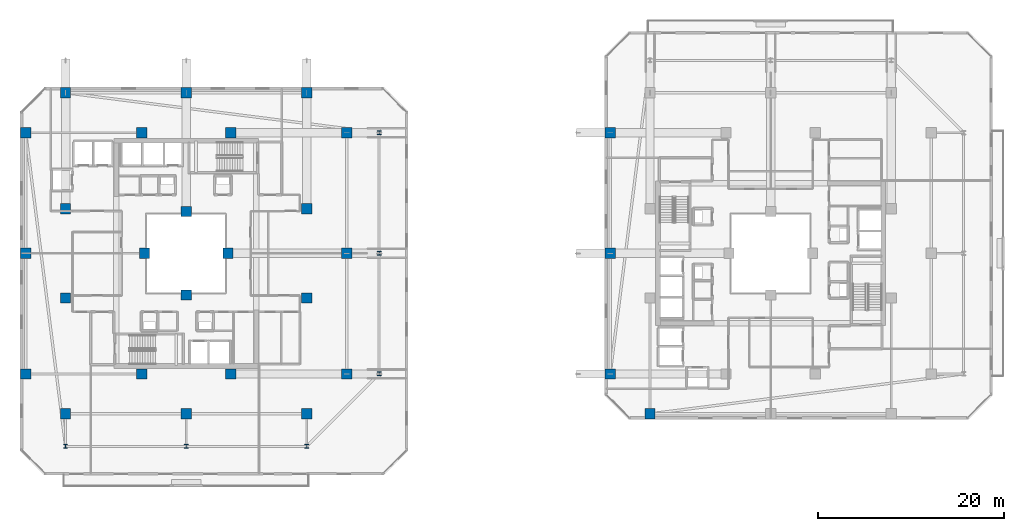
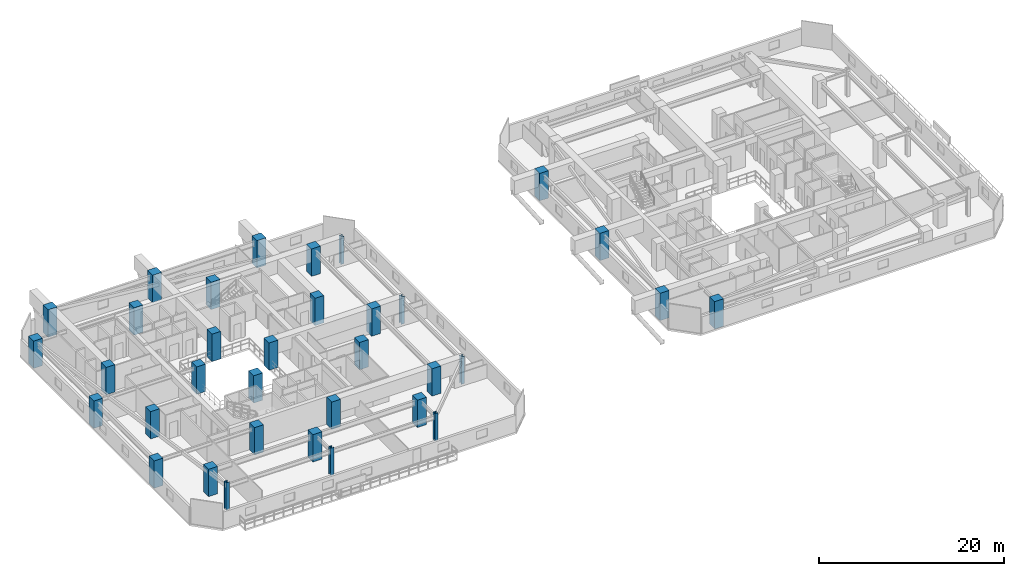
# One storey, part 1 of 36: 34 columns.
"""IFC4 building model written with IfcOpenShell, lengths in metres."""

import ifcopenshell
import ifcopenshell.guid

model = None  # the IFC model being written
_history = None  # IfcOwnerHistory: only IFC2X3 demands one
_inside = {}  # id of a spatial element -> (the spatial element, [elements in it])
_under = {}  # id of a project, library or spatial element -> (it, [spatial elements below it])
_declared = {}  # id of a project -> (the project, [libraries it declares])
_typed = {}  # id of a type object -> (the type object, [elements of that type])
_made_of = {}  # id of a material, layer set ... -> (it, [elements and type objects made of it])


def new_model(schema):
    """Start an empty IFC model of exactly this schema.

    Asked for "IFC4X3", IfcOpenShell would pick the latest addendum, in which some entities
    have other attributes; the version numbers below select the first issue.
    IFC2X3 requires an IfcOwnerHistory on every rooted entity: one is made here for all.
    """
    global model, _history
    if schema == "IFC4X3":
        model = ifcopenshell.file(schema_version=(4, 3, 0, 0))
    else:
        model = ifcopenshell.file(schema=schema)
    _inside.clear()
    _under.clear()
    _declared.clear()
    _typed.clear()
    _made_of.clear()
    _history = None
    if model.schema == "IFC2X3":
        org = make("IfcOrganization", Name="unknown")
        user = make(
            "IfcPersonAndOrganization",
            ThePerson=make("IfcPerson", FamilyName="unknown"),
            TheOrganization=org,
        )
        app = make(
            "IfcApplication",
            ApplicationDeveloper=org,
            Version="unknown",
            ApplicationFullName="unknown",
            ApplicationIdentifier="unknown",
        )
        _history = make(
            "IfcOwnerHistory",
            OwningUser=user,
            OwningApplication=app,
            ChangeAction="ADDED",
            CreationDate=0,
        )
    return model


def make(cls, **values):
    """One entity of the class cls with the attributes given. An attribute that is None is left unset."""
    return model.create_entity(
        cls, **{name: value for name, value in values.items() if value is not None}
    )


def rooted(cls, **values):
    """An entity with a GlobalId (a new one), such as an element, a storey or a relation."""
    return make(cls, GlobalId=ifcopenshell.guid.new(), OwnerHistory=_history, **values)


def si_unit(unit_type, name, prefix=None):
    """IfcSIUnit, for example si_unit("LENGTHUNIT", "METRE", prefix="MILLI")."""
    return make("IfcSIUnit", UnitType=unit_type, Prefix=prefix, Name=name)


def assignment(units):
    """IfcUnitAssignment: the units of a project."""
    return None if units is None else make("IfcUnitAssignment", Units=units)


def point(xyz):
    """IfcCartesianPoint."""
    return None if xyz is None else make("IfcCartesianPoint", Coordinates=xyz)


def direction(xyz):
    """IfcDirection."""
    return None if xyz is None else make("IfcDirection", DirectionRatios=xyz)


def frame(location, z_axis=None, x_axis=None):
    """IfcAxis2Placement3D, a coordinate frame: its origin and axes. An axis left out is left unset."""
    return make(
        "IfcAxis2Placement3D",
        Location=point(location),
        Axis=direction(z_axis),
        RefDirection=direction(x_axis),
    )


def frame_2d(location, x_axis=None):
    """IfcAxis2Placement2D, a coordinate frame in the plane: its origin and x axis."""
    return make(
        "IfcAxis2Placement2D", Location=point(location), RefDirection=direction(x_axis)
    )


def origin():
    """The frame at (0, 0, 0) with its axes left unset."""
    return frame((0.0, 0.0, 0.0))


def origin_2d():
    """The frame at (0, 0) in the plane with its x axis left unset."""
    return frame_2d((0.0, 0.0))


def place(relative_to, where):
    """IfcLocalPlacement: puts the frame where relative to a parent placement (None: the world)."""
    return make(
        "IfcLocalPlacement", PlacementRelTo=relative_to, RelativePlacement=where
    )


def context(
    kind, dimensions, precision=None, world=None, true_north=None, identifier=None
):
    """IfcGeometricRepresentationContext, for example the 3D "Model" context."""
    return make(
        "IfcGeometricRepresentationContext",
        ContextIdentifier=identifier,
        ContextType=kind,
        CoordinateSpaceDimension=dimensions,
        Precision=precision,
        WorldCoordinateSystem=world,
        TrueNorth=true_north,
    )


def subcontext(parent, identifier, kind, view, scale=None):
    """IfcGeometricRepresentationSubContext, for example "Body" below "Model"."""
    return make(
        "IfcGeometricRepresentationSubContext",
        ContextIdentifier=identifier,
        ContextType=kind,
        ParentContext=parent,
        TargetScale=scale,
        TargetView=view,
    )


def project(units=None, contexts=None):
    """IfcProject with its units and contexts."""
    return rooted(
        "IfcProject",
        Name="project",
        RepresentationContexts=contexts,
        UnitsInContext=assignment(units),
    )


def spatial(cls, under=None, at=None, **own):
    """A site, building, storey or space (cls), placed at a placement, below another one or the project."""
    s = rooted(cls, ObjectPlacement=at, **own)
    if under is not None:
        _under.setdefault(under.id(), (under, []))[1].append(s)
    return s


def profile(cls, at=None, kind="AREA", **sizes):
    """A parametric profile (cls). Its sizes go by their IFC names, for example OverallWidth=200.0."""
    return make(cls, ProfileType=kind, Position=at, **sizes)


def rectangle(**sizes):
    """IfcRectangleProfileDef."""
    return profile("IfcRectangleProfileDef", **sizes)


def i_section(**sizes):
    """IfcIShapeProfileDef."""
    return profile("IfcIShapeProfileDef", **sizes)


def extrude(swept, where, along, depth):
    """IfcExtrudedAreaSolid: the profile swept, set in the frame where, extruded along a direction by depth."""
    return make(
        "IfcExtrudedAreaSolid",
        SweptArea=swept,
        Position=where,
        ExtrudedDirection=direction(along),
        Depth=depth,
    )


def shape(context_of_items, identifier, shape_type, items):
    """IfcShapeRepresentation: the items that make up one representation, for example the "Body"."""
    return make(
        "IfcShapeRepresentation",
        ContextOfItems=context_of_items,
        RepresentationIdentifier=identifier,
        RepresentationType=shape_type,
        Items=items,
    )


def material(Name=None, Category=None):
    """IfcMaterial."""
    return make("IfcMaterial", Name=Name, Category=Category)


def material_profile(
    of_material, cross_section, Name=None, Category=None, Priority=None
):
    """IfcMaterialProfile: a cross section and its material."""
    return make(
        "IfcMaterialProfile",
        Name=Name,
        Material=of_material,
        Profile=cross_section,
        Priority=Priority,
        Category=Category,
    )


def profile_set(profiles, Name=None, composite=None):
    """IfcMaterialProfileSet."""
    return make(
        "IfcMaterialProfileSet",
        Name=Name,
        MaterialProfiles=profiles,
        CompositeProfile=composite,
    )


def made_of(thing, what):
    """Note that an element or type object is made of a material, layer set ...; save() writes the relation."""
    if what is not None:
        _made_of.setdefault(what.id(), (what, []))[1].append(thing)
    return thing


def type_object(cls, material=None, **own):
    """A type object (cls), such as IfcWallType, which elements share."""
    return made_of(rooted(cls, **own), material)


def element(
    cls,
    number,
    at=None,
    inside=None,
    cuts=None,
    type_object=None,
    material=None,
    context=None,
    identifier="Body",
    shape_type=None,
    held_by="IfcProductDefinitionShape",
    body=None,
    shapes=None,
    **own,
):
    """One element of the class cls, such as IfcWall. Its Tag is "e" and its number.

    at: its placement. inside: the storey or other place that contains it. cuts: it is an
    opening in that element (IfcRelVoidsElement). A single representation is given by context,
    identifier, shape_type and body (its items); several are given by shapes. held_by: the class
    of the entity that holds the representations. save() writes the other relations.
    """
    e = rooted(cls, Tag="e%d" % number, ObjectPlacement=at, **own)
    if body is not None:
        shapes = [shape(context, identifier, shape_type, body)]
    if shapes is not None:
        e.Representation = make(held_by, Representations=shapes)
    if inside is not None:
        _inside.setdefault(inside.id(), (inside, []))[1].append(e)
    if cuts is not None:
        rooted(
            "IfcRelVoidsElement", RelatingBuildingElement=cuts, RelatedOpeningElement=e
        )
    if type_object is not None:
        _typed.setdefault(type_object.id(), (type_object, []))[1].append(e)
    return made_of(e, material)


def aggregate(whole, parts):
    """IfcRelAggregates: a whole, such as a stair, and the parts it consists of."""
    return rooted("IfcRelAggregates", RelatingObject=whole, RelatedObjects=parts)


def save(model, path):
    """Write the relations noted so far, then the file.

    IfcRelAggregates (storeys below a building ...), IfcRelContainedInSpatialStructure (elements
    in a storey), IfcRelDefinesByType, IfcRelAssociatesMaterial and IfcRelDeclares: one each for
    every whole, place, type object, material and project.
    """
    for whole, parts in _under.values():
        aggregate(whole, parts)
    for where, things in _inside.values():
        rooted(
            "IfcRelContainedInSpatialStructure",
            RelatedElements=things,
            RelatingStructure=where,
        )
    for kind, things in _typed.values():
        rooted("IfcRelDefinesByType", RelatedObjects=things, RelatingType=kind)
    for what, things in _made_of.values():
        rooted("IfcRelAssociatesMaterial", RelatedObjects=things, RelatingMaterial=what)
    for by, libraries in _declared.values():
        rooted("IfcRelDeclares", RelatingContext=by, RelatedDefinitions=libraries)
    model.write(path)


model = new_model("IFC4")

# Units and contexts
model_context = context("Model", 3, precision=1e-05, world=origin(), true_north=direction((0.0, 1.0)))
body_context = subcontext(model_context, "Body", "Model", "MODEL_VIEW")
ifc_project = project(units=[si_unit("LENGTHUNIT", "METRE"), si_unit("AREAUNIT", "SQUARE_METRE"), si_unit("VOLUMEUNIT", "CUBIC_METRE"), si_unit("PLANEANGLEUNIT", "RADIAN"), si_unit("MASSUNIT", "GRAM", prefix="KILO")], contexts=[model_context])

# Site, building, storey
site_placement = place(None, origin())
site = spatial("IfcSite", under=ifc_project, at=site_placement, CompositionType="ELEMENT")
building_placement = place(site_placement, origin())
building = spatial("IfcBuilding", under=site, at=building_placement, Name="Thornwick Lancets Civic Towers", CompositionType="ELEMENT")
storey_placement = place(building_placement, frame((0.0, 0.0, 170.699951171875)))
storey = spatial("IfcBuildingStorey", under=building, at=storey_placement, Name="L45", CompositionType="ELEMENT", Elevation=170.699951171875)

# Columns
ifc_material_1 = material(Name="Concrete C50/60", Category="concrete")
ifc_material_profile_1 = material_profile(ifc_material_1, rectangle(XDim=1.10009765625, YDim=1.10009765625, at=origin_2d()), Name="RC 1100x1100")
ifc_profile_set_1 = profile_set([ifc_material_profile_1], Name="Concrete C50/60")
column_type_1 = type_object("IfcColumnType", Name="COL_RC_1100", PredefinedType="COLUMN", material=ifc_profile_set_1)
for number, where, z_axis, x_axis, name in (
    (1, (12.5, 9.699951171875, 0.0), (0.0, 0.0, 1.0), (1.0, 0.0, 0.0), "L45 Spine Mega-Column A01"),
    (2, (25.5, 9.699951171875, 0.0), (0.0, 0.0, 1.0), (1.0, 0.0, 0.0), "L45 Spine Mega-Column A02"),
    (3, (38.5, 9.699951171875, 0.0), (0.0, 0.0, 1.0), (1.0, 0.0, 0.0), "L45 Spine Mega-Column A03"),
    (4, (42.800048828125, 14.0, 0.0), (0.0, 0.0, 1.0), (1.0, 0.0, 0.0), "L45 Spine Mega-Column A04"),
    (5, (42.800048828125, 27.0, 0.0), (0.0, 0.0, 1.0), (1.0, 0.0, 0.0), "L45 Spine Mega-Column A05"),
    (6, (42.800048828125, 40.0, 0.0), (0.0, 0.0, 1.0), (1.0, 0.0, 0.0), "L45 Spine Mega-Column A06"),
    (7, (12.5, 44.300048828125, 0.0), (0.0, 0.0, 1.0), (1.0, 0.0, 0.0), "L45 Spine Mega-Column A07"),
    (8, (25.5, 44.300048828125, 0.0), (0.0, 0.0, 1.0), (1.0, 0.0, 0.0), "L45 Spine Mega-Column A08"),
    (9, (38.5, 44.300048828125, 0.0), (0.0, 0.0, 1.0), (1.0, 0.0, 0.0), "L45 Spine Mega-Column A09"),
    (10, (8.199951171875, 14.0, 0.0), (0.0, 0.0, 1.0), (1.0, 0.0, 0.0), "L45 Spine Mega-Column A10"),
    (11, (8.199951171875, 27.0, 0.0), (0.0, 0.0, 1.0), (1.0, 0.0, 0.0), "L45 Spine Mega-Column A11"),
    (12, (8.199951171875, 40.0, 0.0), (0.0, 0.0, 1.0), (1.0, 0.0, 0.0), "L45 Spine Mega-Column A12"),
    (13, (12.5, 22.199951171875, 0.0), (0.0, 0.0, 1.0), (1.0, 0.0, 0.0), "L45 Spine Mega-Column A13"),
    (14, (38.5, 22.199951171875, 0.0), (0.0, 0.0, 1.0), (1.0, 0.0, 0.0), "L45 Spine Mega-Column A14"),
    (15, (12.5, 31.800048828125, 0.0), (0.0, 0.0, 1.0), (1.0, 0.0, 0.0), "L45 Spine Mega-Column A15"),
    (16, (38.5, 31.800048828125, 0.0), (0.0, 0.0, 1.0), (1.0, 0.0, 0.0), "L45 Spine Mega-Column A16"),
    (17, (20.699951171875, 14.0, 0.0), (0.0, 0.0, 1.0), (1.0, 0.0, 0.0), "L45 Spine Mega-Column A17"),
    (18, (30.300048828125, 14.0, 0.0), (0.0, 0.0, 1.0), (1.0, 0.0, 0.0), "L45 Spine Mega-Column A18"),
    (19, (20.699951171875, 40.0, 0.0), (0.0, 0.0, 1.0), (1.0, 0.0, 0.0), "L45 Spine Mega-Column A19"),
    (20, (30.300048828125, 40.0, 0.0), (0.0, 0.0, 1.0), (1.0, 0.0, 0.0), "L45 Spine Mega-Column A20"),
    (21, (25.5, 22.5, 0.0), (0.0, 0.0, 1.0), (1.0, 0.0, 0.0), "L45 Spine Mega-Column A21"),
    (22, (25.5, 31.5, 0.0), (0.0, 0.0, 1.0), (1.0, 0.0, 0.0), "L45 Spine Mega-Column A22"),
    (23, (21.0, 27.0, 0.0), (0.0, 0.0, 1.0), (1.0, 0.0, 0.0), "L45 Spine Mega-Column A23"),
    (24, (30.0, 27.0, 0.0), (0.0, 0.0, 1.0), (1.0, 0.0, 0.0), "L45 Spine Mega-Column A24"),
    (25, (71.199951171875, 14.0, 0.0), (0.0, 0.0, 1.0), (1.0, 0.0, 0.0), "L45 Spine Mega-Column B07"),
    (26, (71.199951171875, 27.0, 0.0), (0.0, 0.0, 1.0), (1.0, 0.0, 0.0), "L45 Spine Mega-Column B08"),
    (27, (71.199951171875, 40.0, 0.0), (0.0, 0.0, 1.0), (1.0, 0.0, 0.0), "L45 Spine Mega-Column B09"),
    (28, (75.5, 9.699951171875, 0.0), (0.0, 0.0, 1.0), (1.0, 0.0, 0.0), "L45 Spine Mega-Column B12"),
):
    element("IfcColumn", number, at=place(storey_placement, frame(where, z_axis=z_axis, x_axis=x_axis)), inside=storey, type_object=column_type_1, Name=name, PredefinedType="COLUMN", context=body_context, shape_type="SweptSolid", body=[
        extrude(rectangle(XDim=1.10009765625, YDim=1.10009765625, at=origin_2d()), origin(), (0.0, 0.0, 1.0), 3.60009765625),
    ])
ifc_material_2 = material(Name="Steel S460M", Category="steel")
ifc_material_profile_2 = material_profile(ifc_material_2, i_section(OverallWidth=0.406982421875, OverallDepth=0.4189453125, WebThickness=0.030517578125, FlangeThickness=0.04931640625, FilletRadius=0.01513671875, at=origin_2d()), Name="UKC 356x406x393")
ifc_profile_set_2 = profile_set([ifc_material_profile_2], Name="Steel S460M")
column_type_2 = type_object("IfcColumnType", Name="COL_UKC_393", PredefinedType="COLUMN", material=ifc_profile_set_2)
for number, where, z_axis, x_axis, name in (
    (29, (12.5, 6.199951171875, 0.0), (0.0, 0.0, 1.0), (1.0, 0.0, 0.0), "L45 Block Perimeter Column A01"),
    (30, (25.5, 6.199951171875, 0.0), (0.0, 0.0, 1.0), (1.0, 0.0, 0.0), "L45 Block Perimeter Column A02"),
    (31, (38.5, 6.199951171875, 0.0), (0.0, 0.0, 1.0), (1.0, 0.0, 0.0), "L45 Block Perimeter Column A03"),
    (32, (46.300048828125, 14.0, 0.0), (0.0, 0.0, 1.0), (1.0, 0.0, 0.0), "L45 Block Perimeter Column A04"),
    (33, (46.300048828125, 27.0, 0.0), (0.0, 0.0, 1.0), (1.0, 0.0, 0.0), "L45 Block Perimeter Column A05"),
    (34, (46.300048828125, 40.0, 0.0), (0.0, 0.0, 1.0), (1.0, 0.0, 0.0), "L45 Block Perimeter Column A06"),
):
    element("IfcColumn", number, at=place(storey_placement, frame(where, z_axis=z_axis, x_axis=x_axis)), inside=storey, type_object=column_type_2, Name=name, PredefinedType="COLUMN", context=body_context, shape_type="SweptSolid", body=[
        extrude(i_section(OverallWidth=0.406982421875, OverallDepth=0.4189453125, WebThickness=0.030517578125, FlangeThickness=0.04931640625, FilletRadius=0.01513671875, at=origin_2d()), origin(), (0.0, 0.0, 1.0), 3.60009765625),
    ])

save(model, "model.ifc")
